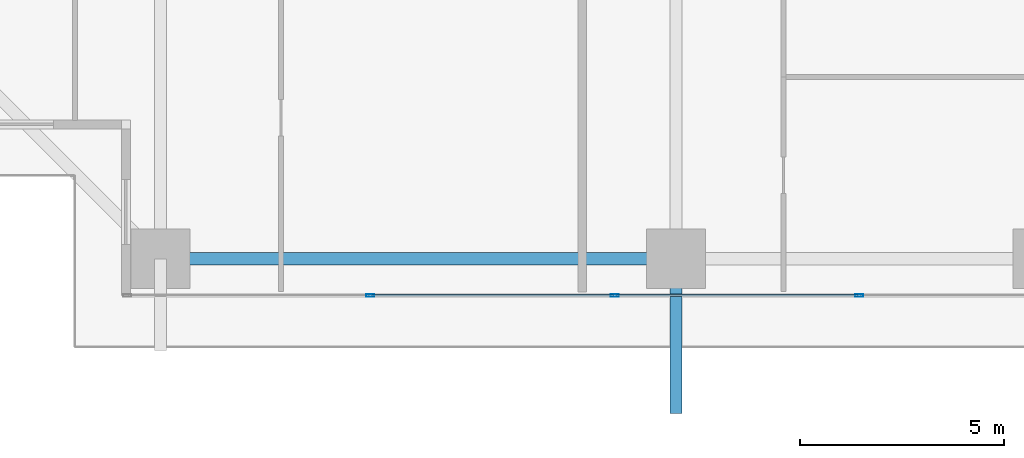
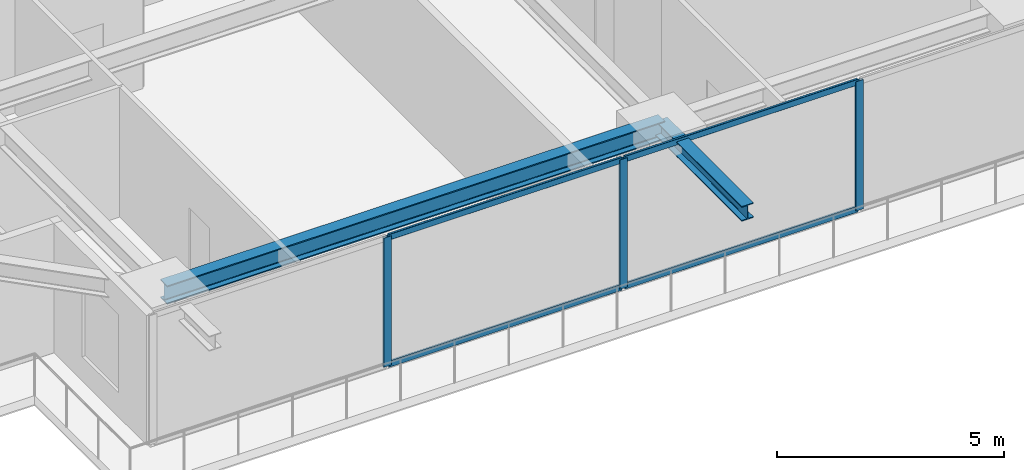
# One storey, part 4 of 35: 7 members, 2 beams, 1 element without a shape of its own.
"""IFC4 building model written with IfcOpenShell, lengths in metres."""

from ifc_helpers import new_model, si_unit, direction, frame, origin, origin_2d, place, context, subcontext, project, spatial, hollow_rectangle, i_section, extrude, source, transform, mapped, material, layer, layer_set, material_profile, profile_set, type_object, element, aggregate, save


model = new_model("IFC4")

# Units and contexts
model_context = context("Model", 3, precision=1e-05, world=origin(), true_north=direction((0.0, 1.0)))
body_context = subcontext(model_context, "Body", "Model", "MODEL_VIEW")
ifc_project = project(units=[si_unit("LENGTHUNIT", "METRE"), si_unit("AREAUNIT", "SQUARE_METRE"), si_unit("VOLUMEUNIT", "CUBIC_METRE"), si_unit("PLANEANGLEUNIT", "RADIAN"), si_unit("MASSUNIT", "GRAM", prefix="KILO")], contexts=[model_context])

# Site, building, storey
site_placement = place(None, origin())
site = spatial("IfcSite", under=ifc_project, at=site_placement, CompositionType="ELEMENT")
building_placement = place(site_placement, origin())
building = spatial("IfcBuilding", under=site, at=building_placement, Name="Serunith Strait Residences", CompositionType="ELEMENT")
storey_placement = place(building_placement, frame((0.0, 0.0, 71.699951171875)))
storey = spatial("IfcBuildingStorey", under=building, at=storey_placement, Name="L17", CompositionType="ELEMENT", Elevation=71.699951171875)

# Beams
ifc_material_1 = material(Name="Steel S355J2", Category="steel")
ifc_material_profile_1 = material_profile(ifc_material_1, i_section(OverallWidth=0.300048828125, OverallDepth=0.5, WebThickness=0.014404296875, FlangeThickness=0.028076171875, FilletRadius=0.027099609375, at=origin_2d()), Name="HEB 500")
ifc_profile_set_1 = profile_set([ifc_material_profile_1], Name="Steel S355J2")
beam_type_1 = type_object("IfcBeamType", Name="BM-HEB500", PredefinedType="BEAM", material=ifc_profile_set_1)
shared_shape_1 = source(origin(), body_context, "Body", "SweptSolid", [
    extrude(i_section(OverallWidth=0.300048828125, OverallDepth=0.5, WebThickness=0.014404296875, FlangeThickness=0.028076171875, FilletRadius=0.027099609375, at=origin_2d()), origin(), (0.0, 0.0, 1.0), 12.64990234375),
])
beam_1_placement = place(storey_placement, frame((15.25, 1.10009765625, 3.237060546875), z_axis=(1.0, 0.0, 0.0), x_axis=(0.0, 1.0, 0.0)))
element("IfcBeam", 1, at=beam_1_placement, inside=storey, type_object=beam_type_1, Name="L17 Perimeter Ring Beam 01", PredefinedType="BEAM", context=body_context, shape_type="MappedRepresentation", body=[
    mapped(shared_shape_1, transform((0.0, 0.0, 0.0), scale=1.0)),
])
ifc_material_profile_2 = material_profile(ifc_material_1, i_section(OverallWidth=0.300048828125, OverallDepth=0.39990234375, WebThickness=0.013427734375, FlangeThickness=0.02392578125, FilletRadius=0.027099609375, at=origin_2d()), Name="HEB 400")
ifc_profile_set_2 = profile_set([ifc_material_profile_2], Name="Steel S355J2")
beam_type_2 = type_object("IfcBeamType", Name="BM-HEB400", PredefinedType="BEAM", material=ifc_profile_set_2)
shared_shape_2 = source(origin(), body_context, "Body", "SweptSolid", [
    extrude(i_section(OverallWidth=0.300048828125, OverallDepth=0.39990234375, WebThickness=0.013427734375, FlangeThickness=0.02392578125, FilletRadius=0.027099609375, at=origin_2d()), origin(), (0.0, 0.0, 1.0), 3.800048828125),
])
beam_2_placement = place(storey_placement, frame((27.89990234375, 1.10009765625, 3.257080078125), z_axis=(0.0, -1.0, 0.0), x_axis=(1.0, 0.0, 0.0)))
element("IfcBeam", 2, at=beam_2_placement, inside=storey, type_object=beam_type_2, Name="L18 Cantilevered Balcony Rib TC-S2", PredefinedType="BEAM", context=body_context, shape_type="MappedRepresentation", body=[
    mapped(shared_shape_2, transform((0.0, 0.0, 0.0), scale=1.0)),
])

# Curtain wall, members
ifc_material_2 = material(Name="Pale-Champagne Anodised Aluminium", Category="aluminium")
ifc_layer = layer(ifc_material_2, 0.199951171875, Name="Pale-Champagne Anodised Aluminium")
ifc_layer_set = layer_set([ifc_layer], Name="Pale-Champagne Anodised Aluminium")
curtain_wall_type = type_object("IfcCurtainWallType", Name="CW-SYS1", PredefinedType="NOTDEFINED", material=ifc_layer_set)
curtain_wall_placement = place(storey_placement, origin())
curtain_wall = element("IfcCurtainWall", 3, at=curtain_wall_placement, inside=storey, type_object=curtain_wall_type, Name="L17 S Unitised Fritted Curtain Wall", PredefinedType="NOTDEFINED")
ifc_material_profile_3 = material_profile(ifc_material_2, hollow_rectangle(XDim=0.070068359375, YDim=0.199951171875, WallThickness=0.00390625, InnerFilletRadius=0.006103515625, OuterFilletRadius=0.010009765625, at=origin_2d()), Name="ALU 200x70x4")
ifc_profile_set_3 = profile_set([ifc_material_profile_3], Name="Pale-Champagne Anodised Aluminium")
member_type_1 = type_object("IfcMemberType", Name="CW-SYS1-MULL", PredefinedType="MULLION", material=ifc_profile_set_3)
shared_shape_3 = source(origin(), body_context, "Body", "SweptSolid", [
    extrude(hollow_rectangle(XDim=0.070068359375, YDim=0.199951171875, WallThickness=0.00390625, InnerFilletRadius=0.006103515625, OuterFilletRadius=0.010009765625, at=origin_2d()), origin(), (0.0, 0.0, 1.0), 3.47509765625),
])
member_1_placement = place(storey_placement, frame((20.39990234375, 0.199951171875, 0.0), z_axis=(0.0, 0.0, 1.0), x_axis=(0.0, 1.0, 0.0)))
member_1 = element("IfcMember", 4, at=member_1_placement, type_object=member_type_1, Name="CW-1 mullion 2", PredefinedType="MULLION", context=body_context, shape_type="MappedRepresentation", body=[
    mapped(shared_shape_3, transform((0.0, 0.0, 0.0), scale=1.0)),
])
member_2_placement = place(storey_placement, frame((26.39990234375, 0.199951171875, 0.0), z_axis=(0.0, 0.0, 1.0), x_axis=(0.0, 1.0, 0.0)))
member_2 = element("IfcMember", 5, at=member_2_placement, type_object=member_type_1, Name="CW-1 mullion 3", PredefinedType="MULLION", context=body_context, shape_type="MappedRepresentation", body=[
    mapped(shared_shape_3, transform((0.0, 0.0, 0.0), scale=1.0)),
])
member_3_placement = place(storey_placement, frame((32.39990234375, 0.199951171875, 0.0), z_axis=(0.0, 0.0, 1.0), x_axis=(0.0, 1.0, 0.0)))
member_3 = element("IfcMember", 6, at=member_3_placement, type_object=member_type_1, Name="CW-1 mullion 4", PredefinedType="MULLION", context=body_context, shape_type="MappedRepresentation", body=[
    mapped(shared_shape_3, transform((0.0, 0.0, 0.0), scale=1.0)),
])
ifc_material_profile_4 = material_profile(ifc_material_2, hollow_rectangle(XDim=0.06005859375, YDim=0.159912109375, WallThickness=0.00341796875, InnerFilletRadius=0.00537109375, OuterFilletRadius=0.0087890625, at=origin_2d()), Name="ALU 160x60x3.5")
ifc_profile_set_4 = profile_set([ifc_material_profile_4], Name="Pale-Champagne Anodised Aluminium")
member_type_2 = type_object("IfcMemberType", Name="CW-SYS1-TRAN", PredefinedType="USERDEFINED", material=ifc_profile_set_4)
shared_shape_4 = source(origin(), body_context, "Body", "SweptSolid", [
    extrude(hollow_rectangle(XDim=0.06005859375, YDim=0.159912109375, WallThickness=0.00341796875, InnerFilletRadius=0.00537109375, OuterFilletRadius=0.0087890625, at=origin_2d()), origin(), (0.0, 0.0, 1.0), 5.929931640625),
])
member_4_placement = place(storey_placement, frame((20.43505859375, 0.199951171875, 0.030029296875), z_axis=(1.0, 0.0, 0.0), x_axis=(0.0, 1.0, 0.0)))
member_4 = element("IfcMember", 7, at=member_4_placement, type_object=member_type_2, Name="CW-1 transom 2.1", ObjectType="TRANSOM", PredefinedType="USERDEFINED", context=body_context, shape_type="MappedRepresentation", body=[
    mapped(shared_shape_4, transform((0.0, 0.0, 0.0), scale=1.0)),
])
member_5_placement = place(storey_placement, frame((20.43505859375, 0.199951171875, 3.445068359375), z_axis=(1.0, 0.0, 0.0), x_axis=(0.0, 1.0, 0.0)))
member_5 = element("IfcMember", 8, at=member_5_placement, type_object=member_type_2, Name="CW-1 transom 2.2", ObjectType="TRANSOM", PredefinedType="USERDEFINED", context=body_context, shape_type="MappedRepresentation", body=[
    mapped(shared_shape_4, transform((0.0, 0.0, 0.0), scale=1.0)),
])
member_6_placement = place(storey_placement, frame((26.43505859375, 0.199951171875, 0.030029296875), z_axis=(1.0, 0.0, 0.0), x_axis=(0.0, 1.0, 0.0)))
member_6 = element("IfcMember", 9, at=member_6_placement, type_object=member_type_2, Name="CW-1 transom 3.1", ObjectType="TRANSOM", PredefinedType="USERDEFINED", context=body_context, shape_type="MappedRepresentation", body=[
    mapped(shared_shape_4, transform((0.0, 0.0, 0.0), scale=1.0)),
])
member_7_placement = place(storey_placement, frame((26.43505859375, 0.199951171875, 3.445068359375), z_axis=(1.0, 0.0, 0.0), x_axis=(0.0, 1.0, 0.0)))
member_7 = element("IfcMember", 10, at=member_7_placement, type_object=member_type_2, Name="CW-1 transom 3.2", ObjectType="TRANSOM", PredefinedType="USERDEFINED", context=body_context, shape_type="MappedRepresentation", body=[
    mapped(shared_shape_4, transform((0.0, 0.0, 0.0), scale=1.0)),
])
aggregate(curtain_wall, [member_1, member_2, member_3, member_4, member_5, member_6, member_7])

save(model, "model.ifc")
